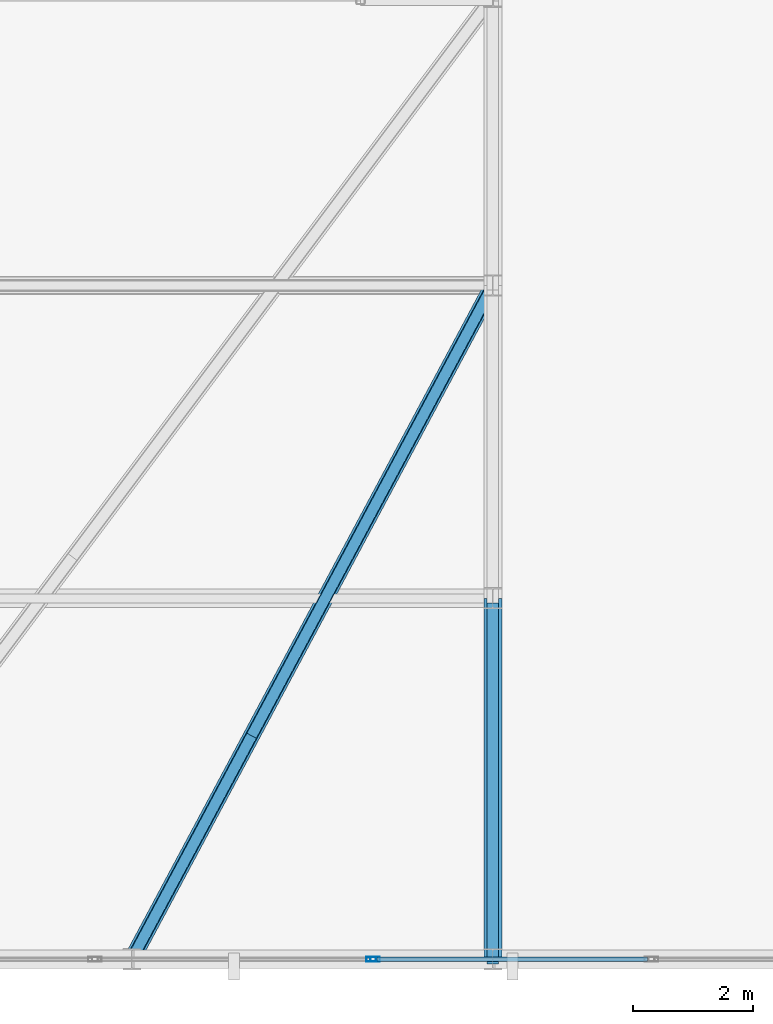
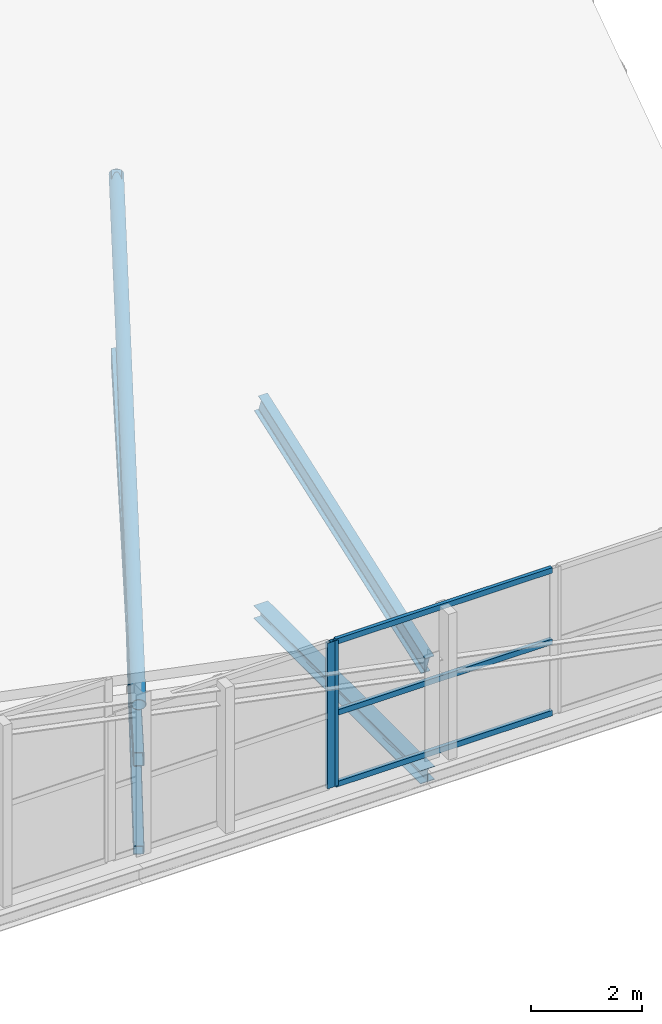
# One storey, part 10 of 74: 9 members, 1 beam, 2 elements without a shape of their own.
"""IFC4 building model written with IfcOpenShell, lengths in metres."""

from ifc_helpers import new_model, si_unit, direction, frame, origin, origin_2d, place, context, subcontext, project, spatial, hollow_rectangle, hollow_circle, i_section, extrude, material, layer, layer_set, material_profile, profile_set, type_object, element, aggregate, save


model = new_model("IFC4")

# Units and contexts
model_context = context("Model", 3, precision=1e-05, world=origin(), true_north=direction((0.0, 1.0)))
body_context = subcontext(model_context, "Body", "Model", "MODEL_VIEW")
ifc_project = project(units=[si_unit("LENGTHUNIT", "METRE"), si_unit("AREAUNIT", "SQUARE_METRE"), si_unit("VOLUMEUNIT", "CUBIC_METRE"), si_unit("PLANEANGLEUNIT", "RADIAN"), si_unit("MASSUNIT", "GRAM", prefix="KILO")], contexts=[model_context])

# Site, building, storey
site_placement = place(None, origin())
site = spatial("IfcSite", under=ifc_project, at=site_placement, CompositionType="ELEMENT")
building_placement = place(site_placement, origin())
building = spatial("IfcBuilding", under=site, at=building_placement, Name="Keshet Zoharim Tower", CompositionType="ELEMENT")
storey_placement = place(building_placement, frame((0.0, 0.0, 320.0)))
storey = spatial("IfcBuildingStorey", under=building, at=storey_placement, Name="RF", CompositionType="ELEMENT", Elevation=320.0)

# Beam
ifc_material_1 = material(Name="Steel S355", Category="steel")
ifc_material_profile_1 = material_profile(ifc_material_1, i_section(OverallWidth=0.300048828125, OverallDepth=0.2900390625, WebThickness=0.008544921875, FlangeThickness=0.013916015625, FilletRadius=0.027099609375, at=origin_2d()), Name="HEA300")
ifc_profile_set_1 = profile_set([ifc_material_profile_1], Name="Steel S355")
beam_type = type_object("IfcBeamType", Name="BM-PRI-HA300", PredefinedType="BEAM", material=ifc_profile_set_1)
beam_placement = place(storey_placement, frame((33.0, 6.699951171875, -0.455078125), z_axis=(0.0, 1.0, 0.0), x_axis=(-1.0, 0.0, 0.0)))
element("IfcBeam", 1, at=beam_placement, inside=storey, type_object=beam_type, Name="RF Primary Girder Y-004", PredefinedType="BEAM", context=body_context, shape_type="SweptSolid", body=[
    extrude(i_section(OverallWidth=0.300048828125, OverallDepth=0.2900390625, WebThickness=0.008544921875, FlangeThickness=0.013916015625, FilletRadius=0.027099609375, at=origin_2d()), origin(), (0.0, 0.0, 1.0), 6.0),
])

# Curtain wall, member
ifc_material_2 = material(Name="Aluminium 6063-T6", Category="aluminium")
ifc_layer = layer(ifc_material_2, 0.260009765625)
ifc_layer_set = layer_set([ifc_layer], Name="Aluminium 6063-T6")
curtain_wall_type = type_object("IfcCurtainWallType", Name="CW-SYS-06", PredefinedType="NOTDEFINED", material=ifc_layer_set)
curtain_wall_1_placement = place(storey_placement, origin())
curtain_wall_1 = element("IfcCurtainWall", 2, at=curtain_wall_1_placement, inside=storey, type_object=curtain_wall_type, Name="Slanted Crown Curtain Wall 29", PredefinedType="NOTDEFINED")
ifc_material_profile_2 = material_profile(ifc_material_2, hollow_rectangle(XDim=0.074951171875, YDim=0.159912109375, WallThickness=0.00390625, at=origin_2d()), Name="MUL-75x160")
ifc_profile_set_2 = profile_set([ifc_material_profile_2], Name="Aluminium 6063-T6")
member_type_1 = type_object("IfcMemberType", Name="CWM-M15", PredefinedType="MULLION", material=ifc_profile_set_2)
member_1_placement = place(storey_placement, frame((31.04345703125, 6.699951171875, 0.0), z_axis=(0.0, 0.0, 1.0), x_axis=(0.0, -1.0, 0.0)))
member_1 = element("IfcMember", 3, at=member_1_placement, type_object=member_type_1, Name="CW-06 mullion 2", PredefinedType="MULLION", context=body_context, shape_type="SweptSolid", body=[
    extrude(hollow_rectangle(XDim=0.074951171875, YDim=0.159912109375, WallThickness=0.00390625, at=origin_2d()), origin(), (0.0, 0.0, 1.0), 3.199951171875),
])

curtain_wall_2_placement = place(storey_placement, origin())
curtain_wall_2 = element("IfcCurtainWall", 4, at=curtain_wall_2_placement, inside=storey, type_object=curtain_wall_type, Name="Slanted Crown Curtain Wall 30", PredefinedType="NOTDEFINED")
member_2_placement = place(storey_placement, frame((30.978515625, 6.699951171875, 0.0), z_axis=(0.0, 0.0, 1.0), x_axis=(0.0, -1.0, 0.0)))
member_2 = element("IfcMember", 5, at=member_2_placement, type_object=member_type_1, Name="CW-06 mullion 1", PredefinedType="MULLION", context=body_context, shape_type="SweptSolid", body=[
    extrude(hollow_rectangle(XDim=0.074951171875, YDim=0.159912109375, WallThickness=0.00390625, at=origin_2d()), origin(), (0.0, 0.0, 1.0), 3.199951171875),
])
aggregate(curtain_wall_2, [member_2])

# Member
ifc_material_profile_3 = material_profile(ifc_material_2, hollow_rectangle(XDim=0.074951171875, YDim=0.1201171875, WallThickness=0.00390625, at=origin_2d()), Name="TRN-75x120")
ifc_profile_set_3 = profile_set([ifc_material_profile_3], Name="Aluminium 6063-T6")
member_type_2 = type_object("IfcMemberType", Name="CWT-T12", PredefinedType="USERDEFINED", material=ifc_profile_set_3)
member_3_placement = place(storey_placement, frame((35.572021484375, 6.699951171875, 0.032470703125), z_axis=(-1.0, 0.0, 0.0), x_axis=(0.0, -1.0, 0.0)))
member_3 = element("IfcMember", 6, at=member_3_placement, type_object=member_type_2, Name="CW-06 transom 1.1", ObjectType="TRANSOM", PredefinedType="USERDEFINED", context=body_context, shape_type="SweptSolid", body=[
    extrude(hollow_rectangle(XDim=0.074951171875, YDim=0.1201171875, WallThickness=0.00390625, at=origin_2d()), origin(), (0.0, 0.0, 1.0), 4.49609375),
])

member_4_placement = place(storey_placement, frame((35.572021484375, 6.699951171875, 1.60009765625), z_axis=(-1.0, 0.0, 0.0), x_axis=(0.0, -1.0, 0.0)))
member_4 = element("IfcMember", 7, at=member_4_placement, type_object=member_type_2, Name="CW-06 transom 1.2", ObjectType="TRANSOM", PredefinedType="USERDEFINED", context=body_context, shape_type="SweptSolid", body=[
    extrude(hollow_rectangle(XDim=0.074951171875, YDim=0.1201171875, WallThickness=0.00390625, at=origin_2d()), origin(), (0.0, 0.0, 1.0), 4.49609375),
])

member_5_placement = place(storey_placement, frame((35.572021484375, 6.699951171875, 3.16748046875), z_axis=(-1.0, 0.0, 0.0), x_axis=(0.0, -1.0, 0.0)))
member_5 = element("IfcMember", 8, at=member_5_placement, type_object=member_type_2, Name="CW-06 transom 1.3", ObjectType="TRANSOM", PredefinedType="USERDEFINED", context=body_context, shape_type="SweptSolid", body=[
    extrude(hollow_rectangle(XDim=0.074951171875, YDim=0.1201171875, WallThickness=0.00390625, at=origin_2d()), origin(), (0.0, 0.0, 1.0), 4.49609375),
])

aggregate(curtain_wall_1, [member_1, member_3, member_4, member_5])

# Members
ifc_material_profile_4 = material_profile(ifc_material_1, hollow_rectangle(XDim=0.199951171875, YDim=0.300048828125, WallThickness=0.012451171875, InnerFilletRadius=0.011962890625, OuterFilletRadius=0.01904296875, at=origin_2d()), Name="RHS300x200x12.5")
ifc_profile_set_4 = profile_set([ifc_material_profile_4], Name="Steel S355")
member_type_3 = type_object("IfcMemberType", Name="MB-COL-R300", PredefinedType="COLLAR", material=ifc_profile_set_4)
member_6_placement = place(storey_placement, frame((27.0, 6.699951171875, 1.993408203125), z_axis=(0.472223012161, 0.881479113074, 0.0), x_axis=(-0.881479113074, 0.472223012161, 0.0)))
element("IfcMember", 9, at=member_6_placement, inside=storey, type_object=member_type_3, Name="Crown Frame Collar Tie 04", PredefinedType="COLLAR", context=body_context, shape_type="SweptSolid", body=[
    extrude(hollow_rectangle(XDim=0.199951171875, YDim=0.300048828125, WallThickness=0.012451171875, InnerFilletRadius=0.011962890625, OuterFilletRadius=0.01904296875, at=origin_2d()), origin(), (0.0, 0.0, 1.0), 12.705810546875),
])
ifc_material_profile_5 = material_profile(ifc_material_1, hollow_circle(Radius=0.136474609375, WallThickness=0.010009765625, at=origin_2d()), Name="CHS273x10")
ifc_profile_set_5 = profile_set([ifc_material_profile_5], Name="Steel S355")
member_type_4 = type_object("IfcMemberType", Name="MB-CRN-C273", PredefinedType="BRACE", material=ifc_profile_set_5)
member_7_placement = place(storey_placement, frame((27.0, 6.699951171875, 3.193359375), z_axis=(0.461389408244, 0.861256473925, 0.212972064092), x_axis=(-0.881479113074, 0.472223012161, 0.0)))
element("IfcMember", 10, at=member_7_placement, inside=storey, type_object=member_type_4, Name="Crown Roof In-Plane Brace 04", PredefinedType="BRACE", context=body_context, shape_type="SweptSolid", body=[
    extrude(hollow_circle(Radius=0.136474609375, WallThickness=0.010009765625, at=origin_2d()), origin(), (0.0, 0.0, 1.0), 13.004150390625),
])
ifc_material_profile_6 = material_profile(ifc_material_1, i_section(OverallWidth=0.18994140625, OverallDepth=0.449951171875, WebThickness=0.009521484375, FlangeThickness=0.0146484375, FilletRadius=0.02099609375, at=origin_2d()), Name="IPE450")
ifc_profile_set_6 = profile_set([ifc_material_profile_6], Name="Steel S355")
member_type_5 = type_object("IfcMemberType", Name="MB-RAF-IP450", PredefinedType="RAFTER", material=ifc_profile_set_6)
member_8_placement = place(storey_placement, frame((33.0, 6.699951171875, 1.9697265625), z_axis=(0.0, 0.941925602032, 0.33582161967), x_axis=(-1.0, 0.0, 0.0)))
element("IfcMember", 11, at=member_8_placement, inside=storey, type_object=member_type_5, Name="Crown Raking Rafter 09", PredefinedType="RAFTER", context=body_context, shape_type="SweptSolid", body=[
    extrude(i_section(OverallWidth=0.18994140625, OverallDepth=0.449951171875, WebThickness=0.009521484375, FlangeThickness=0.0146484375, FilletRadius=0.02099609375, at=origin_2d()), origin(), (0.0, 0.0, 1.0), 6.369873046875),
])
ifc_material_profile_7 = material_profile(ifc_material_1, hollow_rectangle(XDim=0.199951171875, YDim=0.300048828125, WallThickness=0.012451171875, InnerFilletRadius=0.011962890625, OuterFilletRadius=0.01904296875, at=origin_2d()), Name="RHS300x200x12.5")
ifc_profile_set_7 = profile_set([ifc_material_profile_7], Name="Steel S355")
member_type_6 = type_object("IfcMemberType", Name="MB-STR-R300", PredefinedType="STRUT", material=ifc_profile_set_7)
member_9_placement = place(storey_placement, frame((27.0, 6.699951171875, 0.0), z_axis=(0.427487756553, 0.797973666661, 0.424843789308), x_axis=(-0.881479113074, 0.472223012161, 0.0)))
element("IfcMember", 12, at=member_9_placement, inside=storey, type_object=member_type_6, Name="Crown Vertical Bracing Strut 04", PredefinedType="STRUT", context=body_context, shape_type="SweptSolid", body=[
    extrude(hollow_rectangle(XDim=0.199951171875, YDim=0.300048828125, WallThickness=0.012451171875, InnerFilletRadius=0.011962890625, OuterFilletRadius=0.01904296875, at=origin_2d()), origin(), (0.0, 0.0, 1.0), 14.035400390625),
])

save(model, "model.ifc")
